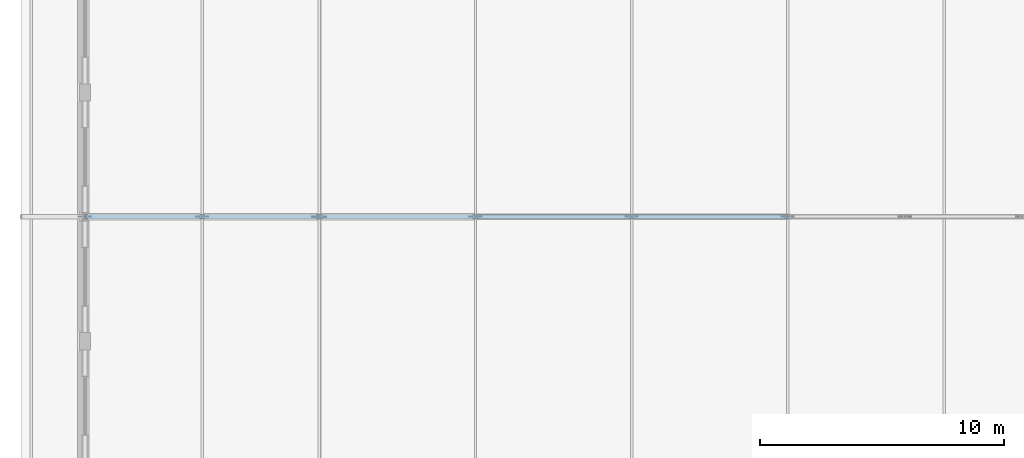
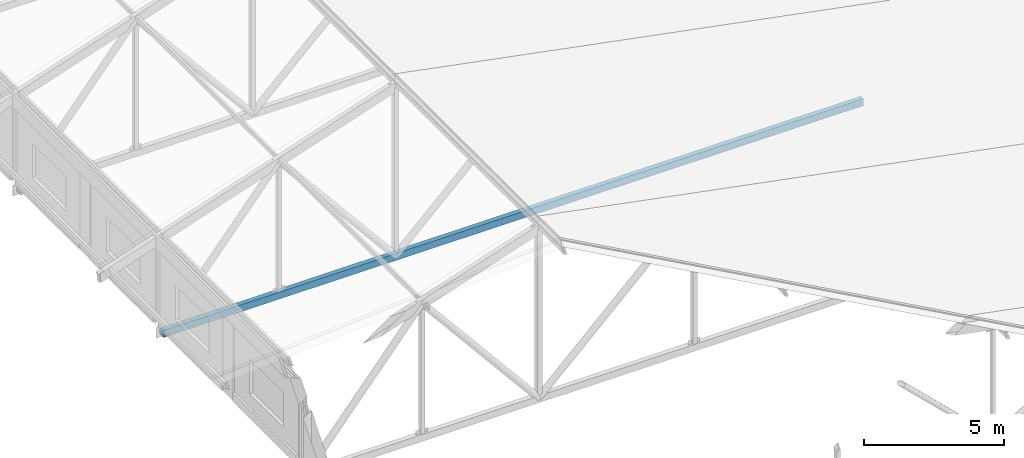
# One storey, part 49 of 200: 1 member.
"""IFC4 building model written with IfcOpenShell, lengths in metres."""

from ifc_helpers import new_model, si_unit, direction, frame, origin, origin_2d, place, context, subcontext, project, spatial, hollow_rectangle, extrude, material, material_profile, profile_set, type_object, element, save


model = new_model("IFC4")

# Units and contexts
model_context = context("Model", 3, precision=1e-05, world=origin(), true_north=direction((0.0, 1.0)))
body_context = subcontext(model_context, "Body", "Model", "MODEL_VIEW")
ifc_project = project(units=[si_unit("LENGTHUNIT", "METRE"), si_unit("AREAUNIT", "SQUARE_METRE"), si_unit("VOLUMEUNIT", "CUBIC_METRE"), si_unit("PLANEANGLEUNIT", "RADIAN"), si_unit("MASSUNIT", "GRAM", prefix="KILO")], contexts=[model_context])

# Site, building, storey
site_placement = place(None, origin())
site = spatial("IfcSite", under=ifc_project, at=site_placement, CompositionType="ELEMENT")
building_placement = place(site_placement, origin())
building = spatial("IfcBuilding", under=site, at=building_placement, Name="Vondelvale Polytechnic", CompositionType="ELEMENT")
storey_placement = place(building_placement, frame((0.0, 0.0, 13.800048828125)))
storey = spatial("IfcBuildingStorey", under=building, at=storey_placement, Name="L03", CompositionType="ELEMENT", Elevation=13.800048828125)

# Member
ifc_material = material(Name="Steel C350L0 (fy = 350 MPa)", Category="steel")
ifc_material_profile = material_profile(ifc_material, hollow_rectangle(XDim=0.199951171875, YDim=0.300048828125, WallThickness=0.008056640625, at=origin_2d()), Name="300x200x8.0RHS")
ifc_profile_set = profile_set([ifc_material_profile], Name="Steel C350L0 (fy = 350 MPa)")
member_type = type_object("IfcMemberType", Name="ROOF TRUSS BOT CHORD 300RHS", PredefinedType="CHORD", material=ifc_profile_set)
member_placement = place(storey_placement, frame((0.0, 81.60009765625, -0.420166015625), z_axis=(1.0, 0.0, 0.0), x_axis=(0.0, 1.0, 0.0)))
element("IfcMember", 1, at=member_placement, inside=storey, type_object=member_type, Name="ROOF TRUSS TR-04 bottom chord 1", PredefinedType="CHORD", context=body_context, shape_type="SweptSolid", body=[
    extrude(hollow_rectangle(XDim=0.199951171875, YDim=0.300048828125, WallThickness=0.008056640625, at=origin_2d()), origin(), (0.0, 0.0, 1.0), 28.800048828125),
])

save(model, "model.ifc")
